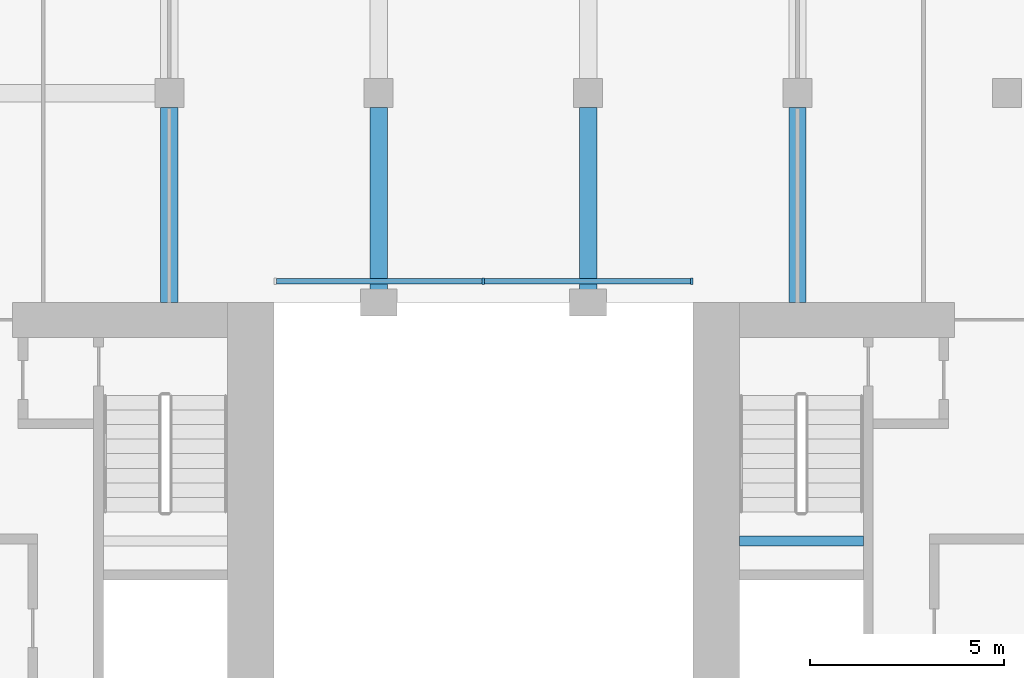
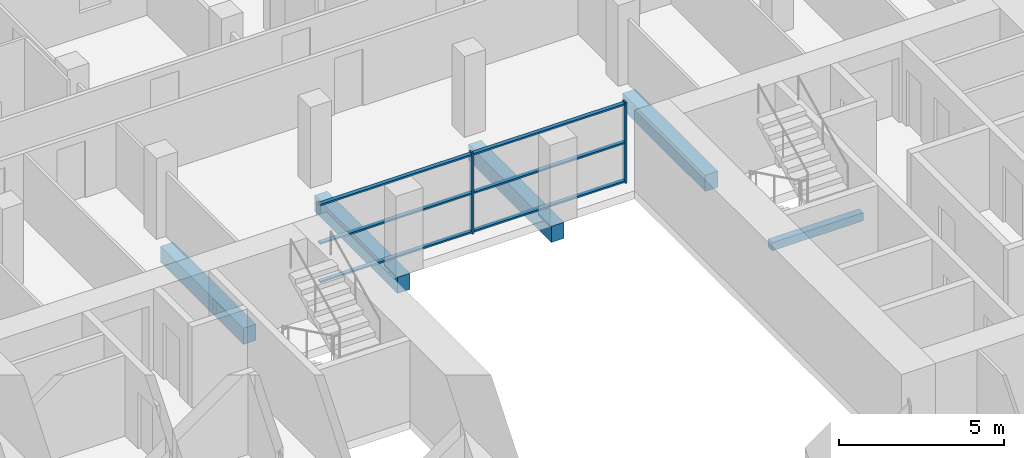
# One storey, part 4 of 14: 8 members, 5 beams, 1 element without a shape of its own.
"""IFC4 building model written with IfcOpenShell, lengths in metres."""

from ifc_helpers import new_model, si_unit, direction, frame, origin, origin_2d, place, context, subcontext, project, spatial, rectangle, extrude, material, material_profile, profile_set, type_object, element, aggregate, save


model = new_model("IFC4")

# Units and contexts
model_context = context("Model", 3, precision=1e-05, world=origin(), true_north=direction((0.0, 1.0)))
body_context = subcontext(model_context, "Body", "Model", "MODEL_VIEW")
ifc_project = project(units=[si_unit("LENGTHUNIT", "METRE"), si_unit("AREAUNIT", "SQUARE_METRE"), si_unit("VOLUMEUNIT", "CUBIC_METRE"), si_unit("PLANEANGLEUNIT", "RADIAN"), si_unit("MASSUNIT", "GRAM", prefix="KILO")], contexts=[model_context])

# Site, building, storey
site_placement = place(None, origin())
site = spatial("IfcSite", under=ifc_project, at=site_placement, CompositionType="ELEMENT")
building_placement = place(site_placement, origin())
building = spatial("IfcBuilding", under=site, at=building_placement, Name="Tabaq Tower and Sports Hall", CompositionType="ELEMENT")
storey_placement = place(building_placement, frame((0.0, 0.0, 226.89990234375)))
storey = spatial("IfcBuildingStorey", under=building, at=storey_placement, Name="L57", CompositionType="ELEMENT", Elevation=226.89990234375)

# Curtain wall, members
ifc_material_1 = material(Name="Aluminium alloy 6063-T6 framed glazing", Category="aluminium")
curtain_wall_type = type_object("IfcCurtainWallType", Name="CW1 curtain wall", PredefinedType="USERDEFINED", material=ifc_material_1)
curtain_wall_placement = place(storey_placement, origin())
curtain_wall = element("IfcCurtainWall", 1, at=curtain_wall_placement, inside=storey, type_object=curtain_wall_type, Name="Atrium glazing L57 N", ObjectType="ATRIUM ENCLOSURE", PredefinedType="USERDEFINED")
ifc_material_2 = material(Name="Aluminium alloy 6063-T6", Category="aluminium")
ifc_material_profile_1 = material_profile(ifc_material_2, rectangle(XDim=0.159912109375, YDim=0.06005859375, at=origin_2d()), Name="MULLION 160x60")
ifc_profile_set_1 = profile_set([ifc_material_profile_1], Name="Aluminium alloy 6063-T6")
member_type_1 = type_object("IfcMemberType", Name="CW1 mullion 160x60", PredefinedType="MULLION", material=ifc_profile_set_1)
member_1_placement = place(storey_placement, frame((24.300048828125, 32.949951171875, 0.0), z_axis=(0.0, 0.0, 1.0), x_axis=(0.0, 1.0, 0.0)))
member_1 = element("IfcMember", 2, at=member_1_placement, type_object=member_type_1, Name="CW1 mullion 2", PredefinedType="MULLION", context=body_context, shape_type="SweptSolid", body=[
    extrude(rectangle(XDim=0.159912109375, YDim=0.06005859375, at=origin_2d()), origin(), (0.0, 0.0, 1.0), 3.0),
])
member_2_placement = place(storey_placement, frame((29.669921875, 32.949951171875, 0.0), z_axis=(0.0, 0.0, 1.0), x_axis=(0.0, 1.0, 0.0)))
member_2 = element("IfcMember", 3, at=member_2_placement, type_object=member_type_1, Name="CW1 mullion 3", PredefinedType="MULLION", context=body_context, shape_type="SweptSolid", body=[
    extrude(rectangle(XDim=0.159912109375, YDim=0.06005859375, at=origin_2d()), origin(), (0.0, 0.0, 1.0), 3.0),
])
ifc_material_3 = material(Name="Aluminium alloy 6063-T6", Category="aluminium")
ifc_material_profile_2 = material_profile(ifc_material_3, rectangle(XDim=0.139892578125, YDim=0.06005859375, at=origin_2d()), Name="TRANSOM 140x60")
ifc_profile_set_2 = profile_set([ifc_material_profile_2], Name="Aluminium alloy 6063-T6")
member_type_2 = type_object("IfcMemberType", Name="CW1 transom 140x60", PredefinedType="USERDEFINED", material=ifc_profile_set_2)
member_3_placement = place(storey_placement, frame((18.9599609375, 32.949951171875, 0.070068359375), z_axis=(1.0, 0.0, 0.0), x_axis=(0.0, 1.0, 0.0)))
member_3 = element("IfcMember", 4, at=member_3_placement, type_object=member_type_2, Name="CW1 transom 1.1", ObjectType="TRANSOM", PredefinedType="USERDEFINED", context=body_context, shape_type="SweptSolid", body=[
    extrude(rectangle(XDim=0.139892578125, YDim=0.06005859375, at=origin_2d()), origin(), (0.0, 0.0, 1.0), 5.31005859375),
])
member_4_placement = place(storey_placement, frame((18.9599609375, 32.949951171875, 1.5), z_axis=(1.0, 0.0, 0.0), x_axis=(0.0, 1.0, 0.0)))
member_4 = element("IfcMember", 5, at=member_4_placement, type_object=member_type_2, Name="CW1 transom 1.2", ObjectType="TRANSOM", PredefinedType="USERDEFINED", context=body_context, shape_type="SweptSolid", body=[
    extrude(rectangle(XDim=0.139892578125, YDim=0.06005859375, at=origin_2d()), origin(), (0.0, 0.0, 1.0), 5.31005859375),
])
member_5_placement = place(storey_placement, frame((18.9599609375, 32.949951171875, 2.93017578125), z_axis=(1.0, 0.0, 0.0), x_axis=(0.0, 1.0, 0.0)))
member_5 = element("IfcMember", 6, at=member_5_placement, type_object=member_type_2, Name="CW1 transom 1.3", ObjectType="TRANSOM", PredefinedType="USERDEFINED", context=body_context, shape_type="SweptSolid", body=[
    extrude(rectangle(XDim=0.139892578125, YDim=0.06005859375, at=origin_2d()), origin(), (0.0, 0.0, 1.0), 5.31005859375),
])
member_6_placement = place(storey_placement, frame((24.330078125, 32.949951171875, 0.070068359375), z_axis=(1.0, 0.0, 0.0), x_axis=(0.0, 1.0, 0.0)))
member_6 = element("IfcMember", 7, at=member_6_placement, type_object=member_type_2, Name="CW1 transom 2.1", ObjectType="TRANSOM", PredefinedType="USERDEFINED", context=body_context, shape_type="SweptSolid", body=[
    extrude(rectangle(XDim=0.139892578125, YDim=0.06005859375, at=origin_2d()), origin(), (0.0, 0.0, 1.0), 5.309814453125),
])
member_7_placement = place(storey_placement, frame((24.330078125, 32.949951171875, 1.5), z_axis=(1.0, 0.0, 0.0), x_axis=(0.0, 1.0, 0.0)))
member_7 = element("IfcMember", 8, at=member_7_placement, type_object=member_type_2, Name="CW1 transom 2.2", ObjectType="TRANSOM", PredefinedType="USERDEFINED", context=body_context, shape_type="SweptSolid", body=[
    extrude(rectangle(XDim=0.139892578125, YDim=0.06005859375, at=origin_2d()), origin(), (0.0, 0.0, 1.0), 5.309814453125),
])
member_8_placement = place(storey_placement, frame((24.330078125, 32.949951171875, 2.93017578125), z_axis=(1.0, 0.0, 0.0), x_axis=(0.0, 1.0, 0.0)))
member_8 = element("IfcMember", 9, at=member_8_placement, type_object=member_type_2, Name="CW1 transom 2.3", ObjectType="TRANSOM", PredefinedType="USERDEFINED", context=body_context, shape_type="SweptSolid", body=[
    extrude(rectangle(XDim=0.139892578125, YDim=0.06005859375, at=origin_2d()), origin(), (0.0, 0.0, 1.0), 5.309814453125),
])
aggregate(curtain_wall, [member_1, member_2, member_3, member_4, member_5, member_6, member_7, member_8])

# Beams
ifc_material_4 = material(Name="Concrete C40/50", Category="concrete")
ifc_material_profile_3 = material_profile(ifc_material_4, rectangle(XDim=0.449951171875, YDim=0.60009765625, at=origin_2d()), Name="CB 450x600")
ifc_profile_set_3 = profile_set([ifc_material_profile_3], Name="Concrete C40/50")
beam_type_1 = type_object("IfcBeamType", Name="PT CANTILEVER BEAM CB 450x600 C40/50", PredefinedType="BEAM", material=ifc_profile_set_3)
for number, where, z_axis, x_axis, name in (
    (10, (16.199951171875, 37.425048828125, -0.599853515625), (0.0, -1.0, 0.0), (1.0, 0.0, 0.0), "Cantilever Beam L57 N3 span 3"),
    (11, (21.60009765625, 37.425048828125, -0.599853515625), (0.0, -1.0, 0.0), (1.0, 0.0, 0.0), "Cantilever Beam L57 N4 span 3"),
    (12, (27.0, 37.425048828125, -0.599853515625), (0.0, -1.0, 0.0), (1.0, 0.0, 0.0), "Cantilever Beam L57 N5 span 3"),
    (13, (32.39990234375, 37.425048828125, -0.599853515625), (0.0, -1.0, 0.0), (1.0, 0.0, 0.0), "Cantilever Beam L57 N6 span 3"),
):
    element("IfcBeam", number, at=place(storey_placement, frame(where, z_axis=z_axis, x_axis=x_axis)), inside=storey, type_object=beam_type_1, Name=name, PredefinedType="BEAM", context=body_context, shape_type="SweptSolid", body=[
        extrude(rectangle(XDim=0.449951171875, YDim=0.60009765625, at=origin_2d()), origin(), (0.0, 0.0, 1.0), 5.025146484375),
    ])
ifc_material_5 = material(Name="Concrete C40/50", Category="concrete")
ifc_material_profile_4 = material_profile(ifc_material_5, rectangle(XDim=0.25, YDim=0.300048828125, at=origin_2d()), Name="RC 250x300")
ifc_profile_set_4 = profile_set([ifc_material_profile_4], Name="Concrete C40/50")
beam_type_2 = type_object("IfcBeamType", Name="Stair landing beam 250x300", PredefinedType="BEAM", material=ifc_profile_set_4)
beam_placement = place(storey_placement, frame((30.89990234375, 26.25, 1.300048828125), z_axis=(1.0, 0.0, 0.0), x_axis=(0.0, 1.0, 0.0)))
element("IfcBeam", 14, at=beam_placement, inside=storey, type_object=beam_type_2, Name="L57 ST4 landing beam 1", PredefinedType="BEAM", context=body_context, shape_type="SweptSolid", body=[
    extrude(rectangle(XDim=0.25, YDim=0.300048828125, at=origin_2d()), origin(), (0.0, 0.0, 1.0), 3.2001953125),
])

save(model, "model.ifc")
